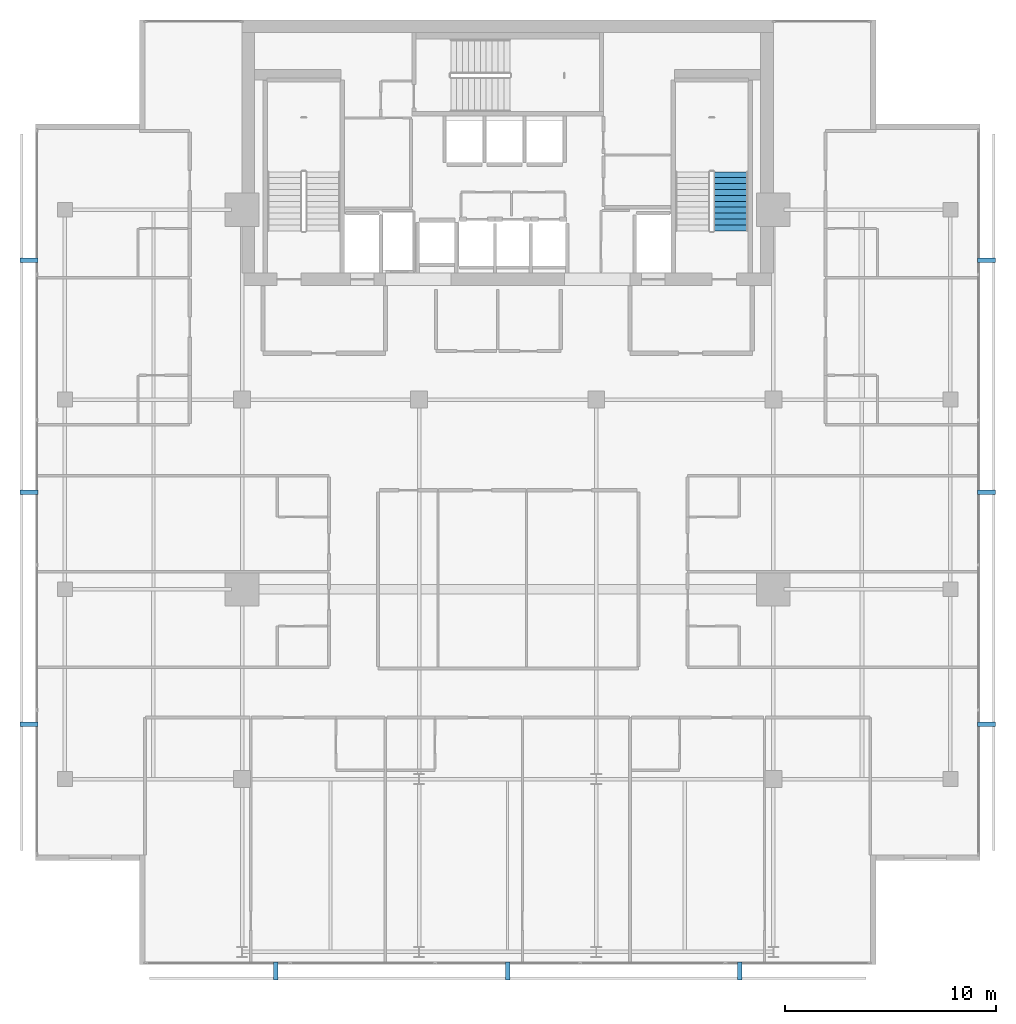
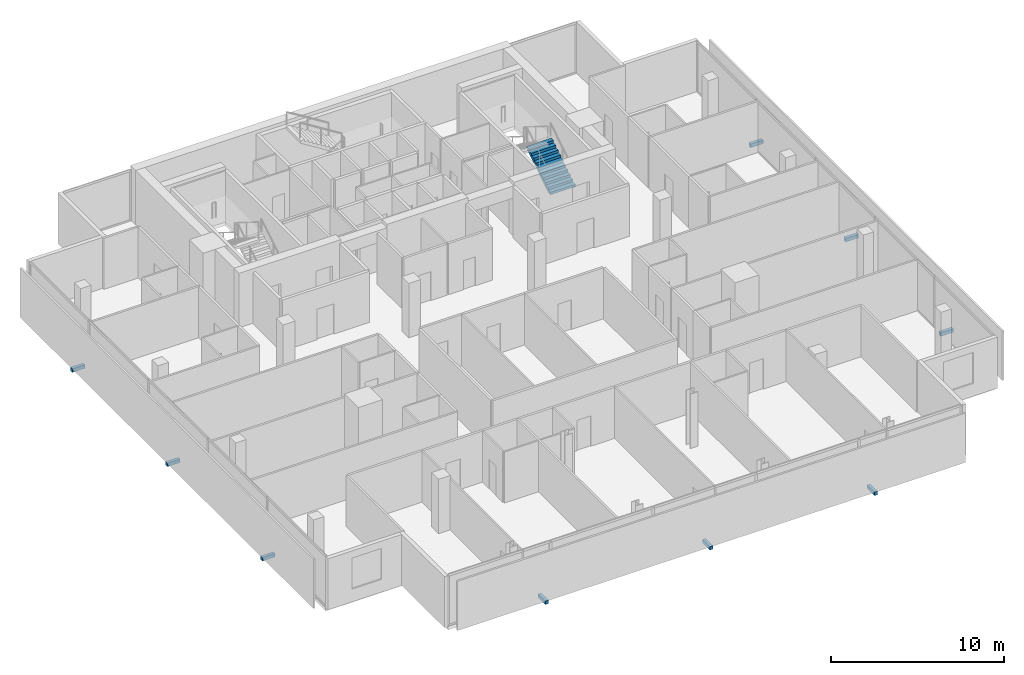
# One storey, part 24 of 26: 9 discrete accessories, 1 stair flight, 1 element without a shape of its own.
"""IFC4 building model written with IfcOpenShell, lengths in metres."""

from ifc_helpers import new_model, si_unit, direction, frame, origin, origin_2d, place, context, subcontext, project, spatial, polyline, rectangle, outline, extrude, material, type_object, element, aggregate, save


model = new_model("IFC4")

# Units and contexts
model_context = context("Model", 3, precision=1e-05, world=origin(), true_north=direction((0.0, 1.0)))
body_context = subcontext(model_context, "Body", "Model", "MODEL_VIEW")
ifc_project = project(units=[si_unit("LENGTHUNIT", "METRE"), si_unit("AREAUNIT", "SQUARE_METRE"), si_unit("VOLUMEUNIT", "CUBIC_METRE"), si_unit("PLANEANGLEUNIT", "RADIAN"), si_unit("MASSUNIT", "GRAM", prefix="KILO")], contexts=[model_context])

# Site, building, storey
site_placement = place(None, origin())
site = spatial("IfcSite", under=ifc_project, at=site_placement, CompositionType="ELEMENT")
building_placement = place(site_placement, origin())
building = spatial("IfcBuilding", under=site, at=building_placement, Name="Maruvema Waterfront Hotel and Observation Tower", CompositionType="ELEMENT")
storey_placement = place(building_placement, frame((0.0, 0.0, 301.0)))
storey = spatial("IfcBuildingStorey", under=building, at=storey_placement, Name="L74", CompositionType="ELEMENT", Elevation=301.0)

# Stair, stair flight
ifc_material_1 = material(Name="Concrete C50/60", Category="concrete")
stair_type = type_object("IfcStairType", Name="Dogleg Exit Stair 1650 mm (22R x 175.0 mm)", PredefinedType="HALF_TURN_STAIR", material=ifc_material_1)
stair_placement = place(storey_placement, origin())
stair = element("IfcStair", 1, at=stair_placement, inside=storey, type_object=stair_type, Name="L74 ST-03", PredefinedType="HALF_TURN_STAIR")
ifc_material_2 = material(Name="Concrete C50/60", Category="concrete")
stair_flight_type = type_object("IfcStairFlightType", Name="Reinforced Concrete Stair Flight 1650 mm (11R x 175.0 mm)", PredefinedType="STRAIGHT", material=ifc_material_2)
stair_flight_placement = place(storey_placement, frame((48.375, 44.0, 0.0), z_axis=(0.0, 0.0, 1.0), x_axis=(0.0, 1.0, 0.0)))
stair_flight = element("IfcStairFlight", 2, at=stair_flight_placement, type_object=stair_flight_type, Name="ST-03 flight 1", NumberOfRisers=11, NumberOfTreads=10, PredefinedType="STRAIGHT", RiserHeight=0.175, TreadLength=0.28, context=body_context, shape_type="SweptSolid", body=[
    extrude(outline(polyline([(0.0, 0.0), (0.0, 0.175048828125), (0.280029296875, 0.175048828125), (0.280029296875, 0.35009765625), (0.56005859375, 0.35009765625), (0.56005859375, 0.52490234375), (0.840087890625, 0.52490234375), (0.840087890625, 0.699951171875), (1.1201171875, 0.699951171875), (1.1201171875, 0.875), (1.39990234375, 0.875), (1.39990234375, 1.050048828125), (1.679931640625, 1.050048828125), (1.679931640625, 1.22509765625), (1.9599609375, 1.22509765625), (1.9599609375, 1.39990234375), (2.239990234375, 1.39990234375), (2.239990234375, 1.574951171875), (2.52001953125, 1.574951171875), (2.52001953125, 1.75), (2.800048828125, 1.75), (2.800048828125, 1.925048828125), (2.800048828125, 1.5732421875), (0.28271484375, 0.0), (0.0, 0.0)])), frame((0.0, 0.824951171875, 0.0), z_axis=(0.0, -1.0, 0.0), x_axis=(1.0, 0.0, 0.0)), (0.0, 0.0, 1.0), 1.64990234375),
])
aggregate(stair, [stair_flight])

# Discrete accessories
ifc_material_3 = material(Name="Duplex stainless steel Grade 2205", Category="steel")
discrete_accessory_type = type_object("IfcDiscreteAccessoryType", Name="Double-Skin Cavity Stainless Outrigger Bracket", PredefinedType="BRACKET", material=ifc_material_3)
for number, where, z_axis, x_axis, name in (
    (3, (26.7919921875, 8.89990234375, -0.14013671875), (0.0, 0.0, 1.0), (1.0, 0.0, 0.0), "L74 Outer Skin Support Bracket 1"),
    (4, (37.800048828125, 8.89990234375, -0.14013671875), (0.0, 0.0, 1.0), (1.0, 0.0, 0.0), "L74 Outer Skin Support Bracket 2"),
    (5, (48.80810546875, 8.89990234375, -0.14013671875), (0.0, 0.0, 1.0), (1.0, 0.0, 0.0), "L74 Outer Skin Support Bracket 3"),
    (6, (60.5, 20.592041015625, -0.14013671875), (0.0, 0.0, 1.0), (0.0, 1.0, 0.0), "L74 Outer Skin Support Bracket 1"),
    (7, (60.5, 31.60009765625, -0.14013671875), (0.0, 0.0, 1.0), (0.0, 1.0, 0.0), "L74 Outer Skin Support Bracket 2"),
    (8, (60.5, 42.60791015625, -0.14013671875), (0.0, 0.0, 1.0), (0.0, 1.0, 0.0), "L74 Outer Skin Support Bracket 3"),
    (9, (15.10009765625, 42.60791015625, -0.14013671875), (0.0, 0.0, 1.0), (0.0, -1.0, 0.0), "L74 Outer Skin Support Bracket 1"),
    (10, (15.10009765625, 31.60009765625, -0.14013671875), (0.0, 0.0, 1.0), (0.0, -1.0, 0.0), "L74 Outer Skin Support Bracket 2"),
    (11, (15.10009765625, 20.592041015625, -0.14013671875), (0.0, 0.0, 1.0), (0.0, -1.0, 0.0), "L74 Outer Skin Support Bracket 3"),
):
    element("IfcDiscreteAccessory", number, at=place(storey_placement, frame(where, z_axis=z_axis, x_axis=x_axis)), inside=storey, type_object=discrete_accessory_type, Name=name, PredefinedType="BRACKET", context=body_context, shape_type="SweptSolid", body=[
        extrude(rectangle(XDim=0.219970703125, YDim=0.860107421875, at=origin_2d()), origin(), (0.0, 0.0, 1.0), 0.239990234375),
    ])

save(model, "model.ifc")
